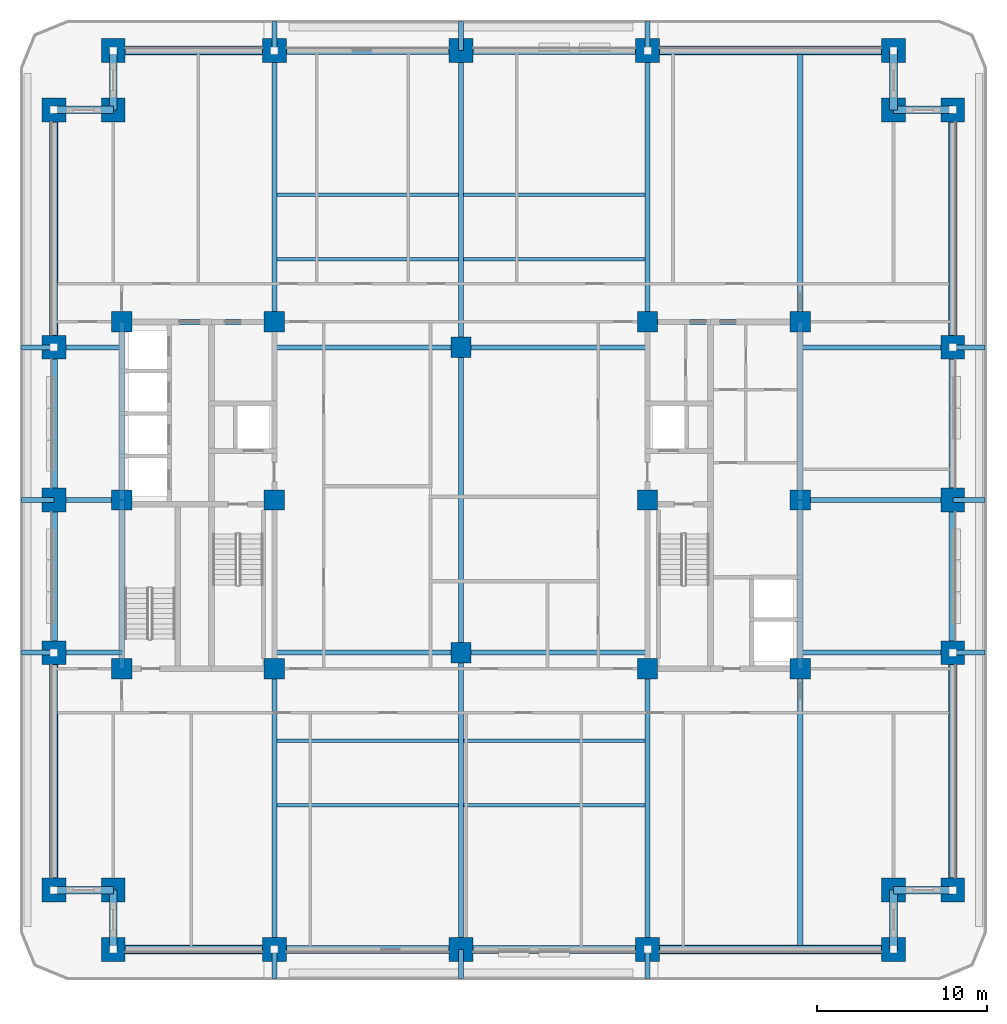
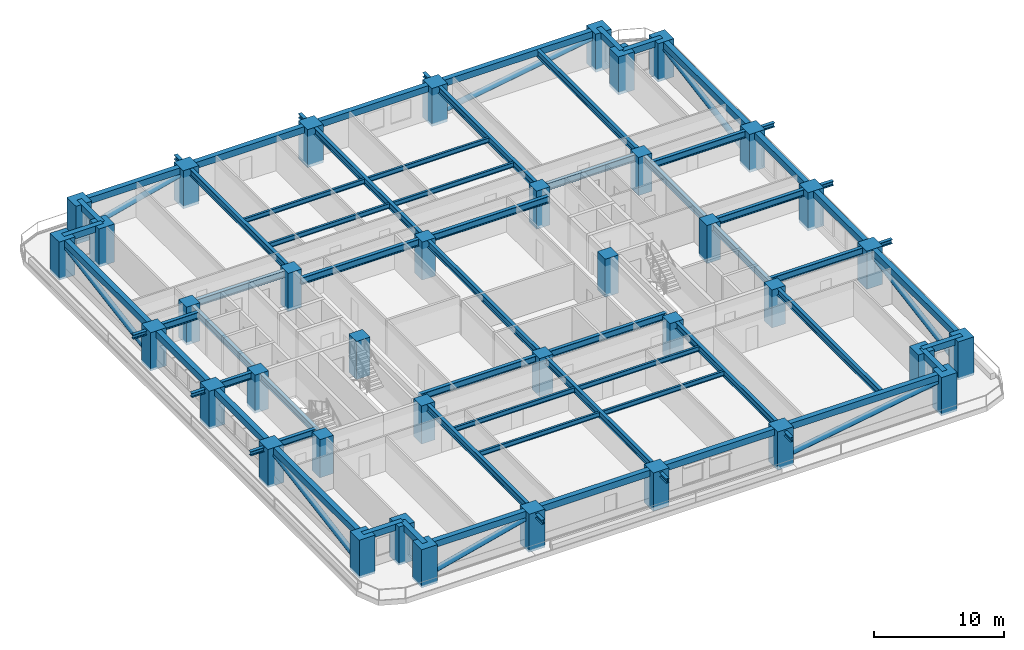
# One storey, part 1 of 15: 69 beams, 38 columns, 8 members.
"""IFC4 building model written with IfcOpenShell, lengths in metres."""

from ifc_helpers import new_model, si_unit, direction, frame, origin, origin_2d, place, context, subcontext, project, spatial, rectangle, hollow_circle, i_section, extrude, material, material_profile, profile_set, type_object, element, save


model = new_model("IFC4")

# Units and contexts
model_context = context("Model", 3, precision=1e-05, world=origin(), true_north=direction((0.0, 1.0)))
body_context = subcontext(model_context, "Body", "Model", "MODEL_VIEW")
ifc_project = project(units=[si_unit("LENGTHUNIT", "METRE"), si_unit("AREAUNIT", "SQUARE_METRE"), si_unit("VOLUMEUNIT", "CUBIC_METRE"), si_unit("PLANEANGLEUNIT", "RADIAN"), si_unit("MASSUNIT", "GRAM", prefix="KILO")], contexts=[model_context])

# Site, building, storey
site_placement = place(None, origin())
site = spatial("IfcSite", under=ifc_project, at=site_placement, CompositionType="ELEMENT")
building_placement = place(site_placement, origin())
building = spatial("IfcBuilding", under=site, at=building_placement, Name="Zulmaris Gate Convention Tower", CompositionType="ELEMENT")
storey_placement = place(building_placement, frame((0.0, 0.0, 37.909912109375)))
storey = spatial("IfcBuildingStorey", under=building, at=storey_placement, Name="L08", CompositionType="ELEMENT", Elevation=37.909912109375)

# Columns
ifc_material_1 = material(Name="Concrete C70/85", Category="concrete")
ifc_material_profile_1 = material_profile(ifc_material_1, rectangle(XDim=1.199951171875, YDim=1.199951171875, at=origin_2d()), Name="RC COL 1200x1200")
ifc_profile_set_1 = profile_set([ifc_material_profile_1], Name="Concrete C70/85")
column_type_1 = type_object("IfcColumnType", Name="COL-RC1200", PredefinedType="COLUMN", material=ifc_profile_set_1)
for number, where, z_axis, x_axis, name in (
    (1, (-20.0, -9.949951171875, -0.25), (0.0, 0.0, 1.0), (1.0, 0.0, 0.0), "L08 Column IN--20.00_-9.95"),
    (2, (-20.0, 10.5, -0.25), (0.0, 0.0, 1.0), (1.0, 0.0, 0.0), "L08 Column IN--20.00_+10.50"),
    (3, (-11.0, -9.949951171875, -0.25), (0.0, 0.0, 1.0), (1.0, 0.0, 0.0), "L08 Column IN--11.00_-9.95"),
    (4, (-11.0, 0.0, -0.25), (0.0, 0.0, 1.0), (1.0, 0.0, 0.0), "L08 Column IN--11.00_+0.00"),
    (5, (-11.0, 10.5, -0.25), (0.0, 0.0, 1.0), (1.0, 0.0, 0.0), "L08 Column IN--11.00_+10.50"),
    (6, (11.0, -9.949951171875, -0.25), (0.0, 0.0, 1.0), (1.0, 0.0, 0.0), "L08 Column IN-+11.00_-9.95"),
    (7, (11.0, 0.0, -0.25), (0.0, 0.0, 1.0), (1.0, 0.0, 0.0), "L08 Column IN-+11.00_+0.00"),
    (8, (11.0, 10.5, -0.25), (0.0, 0.0, 1.0), (1.0, 0.0, 0.0), "L08 Column IN-+11.00_+10.50"),
    (9, (20.0, -9.949951171875, -0.25), (0.0, 0.0, 1.0), (1.0, 0.0, 0.0), "L08 Column IN-+20.00_-9.95"),
    (10, (20.0, 10.5, -0.25), (0.0, 0.0, 1.0), (1.0, 0.0, 0.0), "L08 Column IN-+20.00_+10.50"),
    (11, (0.0, -9.0, -0.25), (0.0, 0.0, 1.0), (1.0, 0.0, 0.0), "L08 Column IN-+0.00_-9.00"),
    (12, (0.0, 9.0, -0.25), (0.0, 0.0, 1.0), (1.0, 0.0, 0.0), "L08 Column IN-+0.00_+9.00"),
    (13, (-20.0, 0.0, -0.25), (0.0, 0.0, 1.0), (1.0, 0.0, 0.0), "L08 Column IN--20.00_+0.00"),
    (14, (20.0, 0.0, -0.25), (0.0, 0.0, 1.0), (1.0, 0.0, 0.0), "L08 Column IN-+20.00_+0.00"),
):
    element("IfcColumn", number, at=place(storey_placement, frame(where, z_axis=z_axis, x_axis=x_axis)), inside=storey, type_object=column_type_1, Name=name, PredefinedType="COLUMN", context=body_context, shape_type="SweptSolid", body=[
        extrude(rectangle(XDim=1.199951171875, YDim=1.199951171875, at=origin_2d()), origin(), (0.0, 0.0, 1.0), 3.570068359375),
    ])
ifc_material_2 = material(Name="Concrete C80/95", Category="concrete")
ifc_material_profile_2 = material_profile(ifc_material_2, rectangle(XDim=1.39990234375, YDim=1.39990234375, at=origin_2d()), Name="RC COL 1400x1400")
ifc_profile_set_2 = profile_set([ifc_material_profile_2], Name="Concrete C80/95")
column_type_2 = type_object("IfcColumnType", Name="COL-RC1400", PredefinedType="COLUMN", material=ifc_profile_set_2)
for number, where, z_axis, x_axis, name in (
    (15, (-20.5, -26.5, -0.25), (0.0, 0.0, 1.0), (1.0, 0.0, 0.0), "L08 Column PT--20.50_-26.50"),
    (16, (-11.0, -26.5, -0.25), (0.0, 0.0, 1.0), (1.0, 0.0, 0.0), "L08 Column PT--11.00_-26.50"),
    (17, (0.0, -26.5, -0.25), (0.0, 0.0, 1.0), (1.0, 0.0, 0.0), "L08 Column PT-+0.00_-26.50"),
    (18, (11.0, -26.5, -0.25), (0.0, 0.0, 1.0), (1.0, 0.0, 0.0), "L08 Column PT-+11.00_-26.50"),
    (19, (25.5, -26.5, -0.25), (0.0, 0.0, 1.0), (1.0, 0.0, 0.0), "L08 Column PT-+25.50_-26.50"),
    (20, (-20.5, 26.5, -0.25), (0.0, 0.0, 1.0), (1.0, 0.0, 0.0), "L08 Column PT--20.50_+26.50"),
    (21, (-11.0, 26.5, -0.25), (0.0, 0.0, 1.0), (1.0, 0.0, 0.0), "L08 Column PT--11.00_+26.50"),
    (22, (0.0, 26.5, -0.25), (0.0, 0.0, 1.0), (1.0, 0.0, 0.0), "L08 Column PT-+0.00_+26.50"),
    (23, (11.0, 26.5, -0.25), (0.0, 0.0, 1.0), (1.0, 0.0, 0.0), "L08 Column PT-+11.00_+26.50"),
    (24, (25.5, 26.5, -0.25), (0.0, 0.0, 1.0), (1.0, 0.0, 0.0), "L08 Column PT-+25.50_+26.50"),
    (25, (-24.0, -23.0, -0.25), (0.0, 0.0, 1.0), (1.0, 0.0, 0.0), "L08 Column PT--24.00_-23.00"),
    (26, (-24.0, -9.0, -0.25), (0.0, 0.0, 1.0), (1.0, 0.0, 0.0), "L08 Column PT--24.00_-9.00"),
    (27, (-24.0, 0.0, -0.25), (0.0, 0.0, 1.0), (1.0, 0.0, 0.0), "L08 Column PT--24.00_+0.00"),
    (28, (-24.0, 9.0, -0.25), (0.0, 0.0, 1.0), (1.0, 0.0, 0.0), "L08 Column PT--24.00_+9.00"),
    (29, (-24.0, 23.0, -0.25), (0.0, 0.0, 1.0), (1.0, 0.0, 0.0), "L08 Column PT--24.00_+23.00"),
    (30, (29.0, -23.0, -0.25), (0.0, 0.0, 1.0), (1.0, 0.0, 0.0), "L08 Column PT-+29.00_-23.00"),
    (31, (29.0, -9.0, -0.25), (0.0, 0.0, 1.0), (1.0, 0.0, 0.0), "L08 Column PT-+29.00_-9.00"),
    (32, (29.0, 0.0, -0.25), (0.0, 0.0, 1.0), (1.0, 0.0, 0.0), "L08 Column PT-+29.00_+0.00"),
    (33, (29.0, 9.0, -0.25), (0.0, 0.0, 1.0), (1.0, 0.0, 0.0), "L08 Column PT-+29.00_+9.00"),
    (34, (29.0, 23.0, -0.25), (0.0, 0.0, 1.0), (1.0, 0.0, 0.0), "L08 Column PT-+29.00_+23.00"),
    (35, (-20.5, -23.0, -0.25), (0.0, 0.0, 1.0), (1.0, 0.0, 0.0), "L08 Column PT--20.50_-23.00"),
    (36, (25.5, -23.0, -0.25), (0.0, 0.0, 1.0), (1.0, 0.0, 0.0), "L08 Column PT-+25.50_-23.00"),
    (37, (25.5, 23.0, -0.25), (0.0, 0.0, 1.0), (1.0, 0.0, 0.0), "L08 Column PT-+25.50_+23.00"),
    (38, (-20.5, 23.0, -0.25), (0.0, 0.0, 1.0), (1.0, 0.0, 0.0), "L08 Column PT--20.50_+23.00"),
):
    element("IfcColumn", number, at=place(storey_placement, frame(where, z_axis=z_axis, x_axis=x_axis)), inside=storey, type_object=column_type_2, Name=name, PredefinedType="COLUMN", context=body_context, shape_type="SweptSolid", body=[
        extrude(rectangle(XDim=1.39990234375, YDim=1.39990234375, at=origin_2d()), origin(), (0.0, 0.0, 1.0), 3.570068359375),
    ])

# Beams
ifc_material_3 = material(Name="Steel S355", Category="steel")
ifc_material_profile_3 = material_profile(ifc_material_3, i_section(OverallWidth=0.300048828125, OverallDepth=0.39990234375, WebThickness=0.013427734375, FlangeThickness=0.02392578125, FilletRadius=0.027099609375, at=origin_2d()), Name="HEB 400")
ifc_profile_set_3 = profile_set([ifc_material_profile_3], Name="Steel S355")
beam_type_1 = type_object("IfcBeamType", Name="BM-HEB400", PredefinedType="BEAM", material=ifc_profile_set_3)
for number, where, z_axis, x_axis, name in (
    (39, (-11.0, -28.199951171875, 2.97998046875), (0.0, 1.0, 0.0), (-1.0, 0.0, 0.0), "L08 Beam TBRK-L08-S--11"),
    (40, (-11.0, 26.5, 2.97998046875), (0.0, 1.0, 0.0), (-1.0, 0.0, 0.0), "L08 Beam TBRK-L08-N--11"),
    (41, (0.0, -28.199951171875, 2.97998046875), (0.0, 1.0, 0.0), (-1.0, 0.0, 0.0), "L08 Beam TBRK-L08-S-+0"),
    (42, (0.0, 26.5, 2.97998046875), (0.0, 1.0, 0.0), (-1.0, 0.0, 0.0), "L08 Beam TBRK-L08-N-+0"),
    (43, (11.0, -28.199951171875, 2.97998046875), (0.0, 1.0, 0.0), (-1.0, 0.0, 0.0), "L08 Beam TBRK-L08-S-+11"),
    (44, (11.0, 26.5, 2.97998046875), (0.0, 1.0, 0.0), (-1.0, 0.0, 0.0), "L08 Beam TBRK-L08-N-+11"),
):
    element("IfcBeam", number, at=place(storey_placement, frame(where, z_axis=z_axis, x_axis=x_axis)), inside=storey, type_object=beam_type_1, Name=name, PredefinedType="BEAM", context=body_context, shape_type="SweptSolid", body=[
        extrude(i_section(OverallWidth=0.300048828125, OverallDepth=0.39990234375, WebThickness=0.013427734375, FlangeThickness=0.02392578125, FilletRadius=0.027099609375, at=origin_2d()), origin(), (0.0, 0.0, 1.0), 1.699951171875),
    ])
for number, where, z_axis, x_axis, name in (
    (45, (-25.89990234375, -9.0, 2.97998046875), (1.0, 0.0, 0.0), (0.0, 1.0, 0.0), "L08 Beam TBRK-L08-W--9"),
    (46, (29.0, -9.0, 2.97998046875), (1.0, 0.0, 0.0), (0.0, 1.0, 0.0), "L08 Beam TBRK-L08-E--9"),
    (47, (-25.89990234375, 0.0, 2.97998046875), (1.0, 0.0, 0.0), (0.0, 1.0, 0.0), "L08 Beam TBRK-L08-W-+0"),
    (48, (29.0, 0.0, 2.97998046875), (1.0, 0.0, 0.0), (0.0, 1.0, 0.0), "L08 Beam TBRK-L08-E-+0"),
    (49, (-25.89990234375, 9.0, 2.97998046875), (1.0, 0.0, 0.0), (0.0, 1.0, 0.0), "L08 Beam TBRK-L08-W-+9"),
    (50, (29.0, 9.0, 2.97998046875), (1.0, 0.0, 0.0), (0.0, 1.0, 0.0), "L08 Beam TBRK-L08-E-+9"),
):
    element("IfcBeam", number, at=place(storey_placement, frame(where, z_axis=z_axis, x_axis=x_axis)), inside=storey, type_object=beam_type_1, Name=name, PredefinedType="BEAM", context=body_context, shape_type="SweptSolid", body=[
        extrude(i_section(OverallWidth=0.300048828125, OverallDepth=0.39990234375, WebThickness=0.013427734375, FlangeThickness=0.02392578125, FilletRadius=0.027099609375, at=origin_2d()), origin(), (0.0, 0.0, 1.0), 1.89990234375),
    ])
ifc_material_profile_4 = material_profile(ifc_material_3, i_section(OverallWidth=0.300048828125, OverallDepth=0.64990234375, WebThickness=0.01611328125, FlangeThickness=0.031005859375, FilletRadius=0.027099609375, at=origin_2d()), Name="HEB 650")
ifc_profile_set_4 = profile_set([ifc_material_profile_4], Name="Steel S355")
beam_type_2 = type_object("IfcBeamType", Name="BM-HEB650", PredefinedType="BEAM", material=ifc_profile_set_4)
for number, where, z_axis, x_axis, name in (
    (51, (-11.0, -9.0, 2.9931640625), (1.0, 0.0, 0.0), (0.0, 1.0, 0.0), "L08 Beam BM-L08-G01"),
    (52, (0.0, -9.0, 2.9931640625), (1.0, 0.0, 0.0), (0.0, 1.0, 0.0), "L08 Beam BM-L08-G02"),
    (53, (-11.0, 9.0, 2.9931640625), (1.0, 0.0, 0.0), (0.0, 1.0, 0.0), "L08 Beam BM-L08-G03"),
    (54, (0.0, 9.0, 2.9931640625), (1.0, 0.0, 0.0), (0.0, 1.0, 0.0), "L08 Beam BM-L08-G04"),
):
    element("IfcBeam", number, at=place(storey_placement, frame(where, z_axis=z_axis, x_axis=x_axis)), inside=storey, type_object=beam_type_2, Name=name, PredefinedType="BEAM", context=body_context, shape_type="SweptSolid", body=[
        extrude(i_section(OverallWidth=0.300048828125, OverallDepth=0.64990234375, WebThickness=0.01611328125, FlangeThickness=0.031005859375, FilletRadius=0.027099609375, at=origin_2d()), origin(), (0.0, 0.0, 1.0), 11.0),
    ])
beam_1_placement = place(storey_placement, frame((0.0, -26.5, 2.9931640625), z_axis=(0.0, 1.0, 0.0), x_axis=(-1.0, 0.0, 0.0)))
element("IfcBeam", 55, at=beam_1_placement, inside=storey, type_object=beam_type_2, Name="L08 Beam BM-L08-G05", PredefinedType="BEAM", context=body_context, shape_type="SweptSolid", body=[
    extrude(i_section(OverallWidth=0.300048828125, OverallDepth=0.64990234375, WebThickness=0.01611328125, FlangeThickness=0.031005859375, FilletRadius=0.027099609375, at=origin_2d()), origin(), (0.0, 0.0, 1.0), 17.5),
])
beam_2_placement = place(storey_placement, frame((0.0, -9.0, 2.9931640625), z_axis=(0.0, 1.0, 0.0), x_axis=(-1.0, 0.0, 0.0)))
element("IfcBeam", 56, at=beam_2_placement, inside=storey, type_object=beam_type_2, Name="L08 Beam BM-L08-G06", PredefinedType="BEAM", context=body_context, shape_type="SweptSolid", body=[
    extrude(i_section(OverallWidth=0.300048828125, OverallDepth=0.64990234375, WebThickness=0.01611328125, FlangeThickness=0.031005859375, FilletRadius=0.027099609375, at=origin_2d()), origin(), (0.0, 0.0, 1.0), 18.0),
])
beam_3_placement = place(storey_placement, frame((0.0, 9.0, 2.9931640625), z_axis=(0.0, 1.0, 0.0), x_axis=(-1.0, 0.0, 0.0)))
element("IfcBeam", 57, at=beam_3_placement, inside=storey, type_object=beam_type_2, Name="L08 Beam BM-L08-G07", PredefinedType="BEAM", context=body_context, shape_type="SweptSolid", body=[
    extrude(i_section(OverallWidth=0.300048828125, OverallDepth=0.64990234375, WebThickness=0.01611328125, FlangeThickness=0.031005859375, FilletRadius=0.027099609375, at=origin_2d()), origin(), (0.0, 0.0, 1.0), 17.5),
])
beam_4_placement = place(storey_placement, frame((-11.0, -26.5, 2.9931640625), z_axis=(0.0, 1.0, 0.0), x_axis=(-1.0, 0.0, 0.0)))
element("IfcBeam", 58, at=beam_4_placement, inside=storey, type_object=beam_type_2, Name="L08 Beam BM-L08-G08", PredefinedType="BEAM", context=body_context, shape_type="SweptSolid", body=[
    extrude(i_section(OverallWidth=0.300048828125, OverallDepth=0.64990234375, WebThickness=0.01611328125, FlangeThickness=0.031005859375, FilletRadius=0.027099609375, at=origin_2d()), origin(), (0.0, 0.0, 1.0), 16.550048828125),
])
beam_5_placement = place(storey_placement, frame((-11.0, 10.5, 2.9931640625), z_axis=(0.0, 1.0, 0.0), x_axis=(-1.0, 0.0, 0.0)))
element("IfcBeam", 59, at=beam_5_placement, inside=storey, type_object=beam_type_2, Name="L08 Beam BM-L08-G09", PredefinedType="BEAM", context=body_context, shape_type="SweptSolid", body=[
    extrude(i_section(OverallWidth=0.300048828125, OverallDepth=0.64990234375, WebThickness=0.01611328125, FlangeThickness=0.031005859375, FilletRadius=0.027099609375, at=origin_2d()), origin(), (0.0, 0.0, 1.0), 16.0),
])
beam_6_placement = place(storey_placement, frame((11.0, -26.5, 2.9931640625), z_axis=(0.0, 1.0, 0.0), x_axis=(-1.0, 0.0, 0.0)))
element("IfcBeam", 60, at=beam_6_placement, inside=storey, type_object=beam_type_2, Name="L08 Beam BM-L08-G10", PredefinedType="BEAM", context=body_context, shape_type="SweptSolid", body=[
    extrude(i_section(OverallWidth=0.300048828125, OverallDepth=0.64990234375, WebThickness=0.01611328125, FlangeThickness=0.031005859375, FilletRadius=0.027099609375, at=origin_2d()), origin(), (0.0, 0.0, 1.0), 16.550048828125),
])
beam_7_placement = place(storey_placement, frame((11.0, 10.5, 2.9931640625), z_axis=(0.0, 1.0, 0.0), x_axis=(-1.0, 0.0, 0.0)))
element("IfcBeam", 61, at=beam_7_placement, inside=storey, type_object=beam_type_2, Name="L08 Beam BM-L08-G11", PredefinedType="BEAM", context=body_context, shape_type="SweptSolid", body=[
    extrude(i_section(OverallWidth=0.300048828125, OverallDepth=0.64990234375, WebThickness=0.01611328125, FlangeThickness=0.031005859375, FilletRadius=0.027099609375, at=origin_2d()), origin(), (0.0, 0.0, 1.0), 16.0),
])
beam_8_placement = place(storey_placement, frame((20.0, -26.5, 2.9931640625), z_axis=(0.0, 1.0, 0.0), x_axis=(-1.0, 0.0, 0.0)))
element("IfcBeam", 62, at=beam_8_placement, inside=storey, type_object=beam_type_2, Name="L08 Beam BM-L08-G14", PredefinedType="BEAM", context=body_context, shape_type="SweptSolid", body=[
    extrude(i_section(OverallWidth=0.300048828125, OverallDepth=0.64990234375, WebThickness=0.01611328125, FlangeThickness=0.031005859375, FilletRadius=0.027099609375, at=origin_2d()), origin(), (0.0, 0.0, 1.0), 16.550048828125),
])
beam_9_placement = place(storey_placement, frame((20.0, 10.5, 2.9931640625), z_axis=(0.0, 1.0, 0.0), x_axis=(-1.0, 0.0, 0.0)))
element("IfcBeam", 63, at=beam_9_placement, inside=storey, type_object=beam_type_2, Name="L08 Beam BM-L08-G15", PredefinedType="BEAM", context=body_context, shape_type="SweptSolid", body=[
    extrude(i_section(OverallWidth=0.300048828125, OverallDepth=0.64990234375, WebThickness=0.01611328125, FlangeThickness=0.031005859375, FilletRadius=0.027099609375, at=origin_2d()), origin(), (0.0, 0.0, 1.0), 16.0),
])
for number, where, z_axis, x_axis, name in (
    (64, (-24.0, -9.0, 2.9931640625), (1.0, 0.0, 0.0), (0.0, 1.0, 0.0), "L08 Beam BM-L08-G16"),
    (65, (-24.0, 0.0, 2.9931640625), (1.0, 0.0, 0.0), (0.0, 1.0, 0.0), "L08 Beam BM-L08-G17"),
    (66, (-24.0, 9.0, 2.9931640625), (1.0, 0.0, 0.0), (0.0, 1.0, 0.0), "L08 Beam BM-L08-G18"),
):
    element("IfcBeam", number, at=place(storey_placement, frame(where, z_axis=z_axis, x_axis=x_axis)), inside=storey, type_object=beam_type_2, Name=name, PredefinedType="BEAM", context=body_context, shape_type="SweptSolid", body=[
        extrude(i_section(OverallWidth=0.300048828125, OverallDepth=0.64990234375, WebThickness=0.01611328125, FlangeThickness=0.031005859375, FilletRadius=0.027099609375, at=origin_2d()), origin(), (0.0, 0.0, 1.0), 4.0),
    ])
for number, where, z_axis, x_axis, name in (
    (67, (20.0, -9.0, 2.9931640625), (1.0, 0.0, 0.0), (0.0, 1.0, 0.0), "L08 Beam BM-L08-G19"),
    (68, (20.0, 0.0, 2.9931640625), (1.0, 0.0, 0.0), (0.0, 1.0, 0.0), "L08 Beam BM-L08-G20"),
    (69, (20.0, 9.0, 2.9931640625), (1.0, 0.0, 0.0), (0.0, 1.0, 0.0), "L08 Beam BM-L08-G21"),
    (70, (-20.0, 10.5, 2.9931640625), (1.0, 0.0, 0.0), (0.0, 1.0, 0.0), "L08 Beam BM-L08-G23"),
    (71, (11.0, 10.5, 2.9931640625), (1.0, 0.0, 0.0), (0.0, 1.0, 0.0), "L08 Beam BM-L08-G25"),
):
    element("IfcBeam", number, at=place(storey_placement, frame(where, z_axis=z_axis, x_axis=x_axis)), inside=storey, type_object=beam_type_2, Name=name, PredefinedType="BEAM", context=body_context, shape_type="SweptSolid", body=[
        extrude(i_section(OverallWidth=0.300048828125, OverallDepth=0.64990234375, WebThickness=0.01611328125, FlangeThickness=0.031005859375, FilletRadius=0.027099609375, at=origin_2d()), origin(), (0.0, 0.0, 1.0), 9.0),
    ])
beam_10_placement = place(storey_placement, frame((-20.0, -9.949951171875, 2.9931640625), z_axis=(0.0, 1.0, 0.0), x_axis=(-1.0, 0.0, 0.0)))
element("IfcBeam", 72, at=beam_10_placement, inside=storey, type_object=beam_type_2, Name="L08 Beam BM-L08-G26", PredefinedType="BEAM", context=body_context, shape_type="SweptSolid", body=[
    extrude(i_section(OverallWidth=0.300048828125, OverallDepth=0.64990234375, WebThickness=0.01611328125, FlangeThickness=0.031005859375, FilletRadius=0.027099609375, at=origin_2d()), origin(), (0.0, 0.0, 1.0), 9.949951171875),
])
beam_11_placement = place(storey_placement, frame((-20.0, 0.0, 2.9931640625), z_axis=(0.0, 1.0, 0.0), x_axis=(-1.0, 0.0, 0.0)))
element("IfcBeam", 73, at=beam_11_placement, inside=storey, type_object=beam_type_2, Name="L08 Beam BM-L08-G27", PredefinedType="BEAM", context=body_context, shape_type="SweptSolid", body=[
    extrude(i_section(OverallWidth=0.300048828125, OverallDepth=0.64990234375, WebThickness=0.01611328125, FlangeThickness=0.031005859375, FilletRadius=0.027099609375, at=origin_2d()), origin(), (0.0, 0.0, 1.0), 10.5),
])
beam_12_placement = place(storey_placement, frame((20.0, -9.949951171875, 2.9931640625), z_axis=(0.0, 1.0, 0.0), x_axis=(-1.0, 0.0, 0.0)))
element("IfcBeam", 74, at=beam_12_placement, inside=storey, type_object=beam_type_2, Name="L08 Beam BM-L08-G28", PredefinedType="BEAM", context=body_context, shape_type="SweptSolid", body=[
    extrude(i_section(OverallWidth=0.300048828125, OverallDepth=0.64990234375, WebThickness=0.01611328125, FlangeThickness=0.031005859375, FilletRadius=0.027099609375, at=origin_2d()), origin(), (0.0, 0.0, 1.0), 9.949951171875),
])
beam_13_placement = place(storey_placement, frame((20.0, 0.0, 2.9931640625), z_axis=(0.0, 1.0, 0.0), x_axis=(-1.0, 0.0, 0.0)))
element("IfcBeam", 75, at=beam_13_placement, inside=storey, type_object=beam_type_2, Name="L08 Beam BM-L08-G29", PredefinedType="BEAM", context=body_context, shape_type="SweptSolid", body=[
    extrude(i_section(OverallWidth=0.300048828125, OverallDepth=0.64990234375, WebThickness=0.01611328125, FlangeThickness=0.031005859375, FilletRadius=0.027099609375, at=origin_2d()), origin(), (0.0, 0.0, 1.0), 10.5),
])
ifc_material_4 = material(Name="Precast concrete C50/60", Category="concrete")
ifc_material_profile_5 = material_profile(ifc_material_4, rectangle(XDim=0.449951171875, YDim=0.60009765625, at=origin_2d()), Name="RC SPANDREL 450x600")
ifc_profile_set_5 = profile_set([ifc_material_profile_5], Name="Precast concrete C50/60")
beam_type_3 = type_object("IfcBeamType", Name="BM-SP450x600", PredefinedType="SPANDREL", material=ifc_profile_set_5)
beam_14_placement = place(storey_placement, frame((-20.5, -26.5, 3.02001953125), z_axis=(1.0, 0.0, 0.0), x_axis=(0.0, 1.0, 0.0)))
element("IfcBeam", 76, at=beam_14_placement, inside=storey, type_object=beam_type_3, Name="L08 Spandrel SP-L08-01", PredefinedType="SPANDREL", context=body_context, shape_type="SweptSolid", body=[
    extrude(rectangle(XDim=0.449951171875, YDim=0.60009765625, at=origin_2d()), origin(), (0.0, 0.0, 1.0), 9.5),
])
for number, where, z_axis, x_axis, name in (
    (77, (-11.0, -26.5, 3.02001953125), (1.0, 0.0, 0.0), (0.0, 1.0, 0.0), "L08 Spandrel SP-L08-02"),
    (78, (0.0, -26.5, 3.02001953125), (1.0, 0.0, 0.0), (0.0, 1.0, 0.0), "L08 Spandrel SP-L08-03"),
):
    element("IfcBeam", number, at=place(storey_placement, frame(where, z_axis=z_axis, x_axis=x_axis)), inside=storey, type_object=beam_type_3, Name=name, PredefinedType="SPANDREL", context=body_context, shape_type="SweptSolid", body=[
        extrude(rectangle(XDim=0.449951171875, YDim=0.60009765625, at=origin_2d()), origin(), (0.0, 0.0, 1.0), 11.0),
    ])
beam_15_placement = place(storey_placement, frame((11.0, -26.5, 3.02001953125), z_axis=(1.0, 0.0, 0.0), x_axis=(0.0, 1.0, 0.0)))
element("IfcBeam", 79, at=beam_15_placement, inside=storey, type_object=beam_type_3, Name="L08 Spandrel SP-L08-04", PredefinedType="SPANDREL", context=body_context, shape_type="SweptSolid", body=[
    extrude(rectangle(XDim=0.449951171875, YDim=0.60009765625, at=origin_2d()), origin(), (0.0, 0.0, 1.0), 14.5),
])
for number, where, z_axis, x_axis, name in (
    (80, (25.5, -26.5, 3.02001953125), (0.0, 1.0, 0.0), (-1.0, 0.0, 0.0), "L08 Spandrel SP-L08-05"),
    (81, (25.5, -23.0, 3.02001953125), (1.0, 0.0, 0.0), (0.0, 1.0, 0.0), "L08 Spandrel SP-L08-06"),
):
    element("IfcBeam", number, at=place(storey_placement, frame(where, z_axis=z_axis, x_axis=x_axis)), inside=storey, type_object=beam_type_3, Name=name, PredefinedType="SPANDREL", context=body_context, shape_type="SweptSolid", body=[
        extrude(rectangle(XDim=0.449951171875, YDim=0.60009765625, at=origin_2d()), origin(), (0.0, 0.0, 1.0), 3.5),
    ])
beam_16_placement = place(storey_placement, frame((29.0, -23.0, 3.02001953125), z_axis=(0.0, 1.0, 0.0), x_axis=(-1.0, 0.0, 0.0)))
element("IfcBeam", 82, at=beam_16_placement, inside=storey, type_object=beam_type_3, Name="L08 Spandrel SP-L08-07", PredefinedType="SPANDREL", context=body_context, shape_type="SweptSolid", body=[
    extrude(rectangle(XDim=0.449951171875, YDim=0.60009765625, at=origin_2d()), origin(), (0.0, 0.0, 1.0), 14.0),
])
for number, where, z_axis, x_axis, name in (
    (83, (29.0, -9.0, 3.02001953125), (0.0, 1.0, 0.0), (-1.0, 0.0, 0.0), "L08 Spandrel SP-L08-08"),
    (84, (29.0, 0.0, 3.02001953125), (0.0, 1.0, 0.0), (-1.0, 0.0, 0.0), "L08 Spandrel SP-L08-09"),
):
    element("IfcBeam", number, at=place(storey_placement, frame(where, z_axis=z_axis, x_axis=x_axis)), inside=storey, type_object=beam_type_3, Name=name, PredefinedType="SPANDREL", context=body_context, shape_type="SweptSolid", body=[
        extrude(rectangle(XDim=0.449951171875, YDim=0.60009765625, at=origin_2d()), origin(), (0.0, 0.0, 1.0), 9.0),
    ])
beam_17_placement = place(storey_placement, frame((29.0, 9.0, 3.02001953125), z_axis=(0.0, 1.0, 0.0), x_axis=(-1.0, 0.0, 0.0)))
element("IfcBeam", 85, at=beam_17_placement, inside=storey, type_object=beam_type_3, Name="L08 Spandrel SP-L08-10", PredefinedType="SPANDREL", context=body_context, shape_type="SweptSolid", body=[
    extrude(rectangle(XDim=0.449951171875, YDim=0.60009765625, at=origin_2d()), origin(), (0.0, 0.0, 1.0), 14.0),
])
for number, where, z_axis, x_axis, name in (
    (86, (29.0, 23.0, 3.02001953125), (-1.0, 0.0, 0.0), (0.0, -1.0, 0.0), "L08 Spandrel SP-L08-11"),
    (87, (25.5, 23.0, 3.02001953125), (0.0, 1.0, 0.0), (-1.0, 0.0, 0.0), "L08 Spandrel SP-L08-12"),
):
    element("IfcBeam", number, at=place(storey_placement, frame(where, z_axis=z_axis, x_axis=x_axis)), inside=storey, type_object=beam_type_3, Name=name, PredefinedType="SPANDREL", context=body_context, shape_type="SweptSolid", body=[
        extrude(rectangle(XDim=0.449951171875, YDim=0.60009765625, at=origin_2d()), origin(), (0.0, 0.0, 1.0), 3.5),
    ])
beam_18_placement = place(storey_placement, frame((25.5, 26.5, 3.02001953125), z_axis=(-1.0, 0.0, 0.0), x_axis=(0.0, -1.0, 0.0)))
element("IfcBeam", 88, at=beam_18_placement, inside=storey, type_object=beam_type_3, Name="L08 Spandrel SP-L08-13", PredefinedType="SPANDREL", context=body_context, shape_type="SweptSolid", body=[
    extrude(rectangle(XDim=0.449951171875, YDim=0.60009765625, at=origin_2d()), origin(), (0.0, 0.0, 1.0), 14.5),
])
for number, where, z_axis, x_axis, name in (
    (89, (11.0, 26.5, 3.02001953125), (-1.0, 0.0, 0.0), (0.0, -1.0, 0.0), "L08 Spandrel SP-L08-14"),
    (90, (0.0, 26.5, 3.02001953125), (-1.0, 0.0, 0.0), (0.0, -1.0, 0.0), "L08 Spandrel SP-L08-15"),
):
    element("IfcBeam", number, at=place(storey_placement, frame(where, z_axis=z_axis, x_axis=x_axis)), inside=storey, type_object=beam_type_3, Name=name, PredefinedType="SPANDREL", context=body_context, shape_type="SweptSolid", body=[
        extrude(rectangle(XDim=0.449951171875, YDim=0.60009765625, at=origin_2d()), origin(), (0.0, 0.0, 1.0), 11.0),
    ])
beam_19_placement = place(storey_placement, frame((-11.0, 26.5, 3.02001953125), z_axis=(-1.0, 0.0, 0.0), x_axis=(0.0, -1.0, 0.0)))
element("IfcBeam", 91, at=beam_19_placement, inside=storey, type_object=beam_type_3, Name="L08 Spandrel SP-L08-16", PredefinedType="SPANDREL", context=body_context, shape_type="SweptSolid", body=[
    extrude(rectangle(XDim=0.449951171875, YDim=0.60009765625, at=origin_2d()), origin(), (0.0, 0.0, 1.0), 9.5),
])
for number, where, z_axis, x_axis, name in (
    (92, (-20.5, 26.5, 3.02001953125), (0.0, -1.0, 0.0), (1.0, 0.0, 0.0), "L08 Spandrel SP-L08-17"),
    (93, (-20.5, 23.0, 3.02001953125), (-1.0, 0.0, 0.0), (0.0, -1.0, 0.0), "L08 Spandrel SP-L08-18"),
):
    element("IfcBeam", number, at=place(storey_placement, frame(where, z_axis=z_axis, x_axis=x_axis)), inside=storey, type_object=beam_type_3, Name=name, PredefinedType="SPANDREL", context=body_context, shape_type="SweptSolid", body=[
        extrude(rectangle(XDim=0.449951171875, YDim=0.60009765625, at=origin_2d()), origin(), (0.0, 0.0, 1.0), 3.5),
    ])
beam_20_placement = place(storey_placement, frame((-24.0, 23.0, 3.02001953125), z_axis=(0.0, -1.0, 0.0), x_axis=(1.0, 0.0, 0.0)))
element("IfcBeam", 94, at=beam_20_placement, inside=storey, type_object=beam_type_3, Name="L08 Spandrel SP-L08-19", PredefinedType="SPANDREL", context=body_context, shape_type="SweptSolid", body=[
    extrude(rectangle(XDim=0.449951171875, YDim=0.60009765625, at=origin_2d()), origin(), (0.0, 0.0, 1.0), 14.0),
])
for number, where, z_axis, x_axis, name in (
    (95, (-24.0, 9.0, 3.02001953125), (0.0, -1.0, 0.0), (1.0, 0.0, 0.0), "L08 Spandrel SP-L08-20"),
    (96, (-24.0, 0.0, 3.02001953125), (0.0, -1.0, 0.0), (1.0, 0.0, 0.0), "L08 Spandrel SP-L08-21"),
):
    element("IfcBeam", number, at=place(storey_placement, frame(where, z_axis=z_axis, x_axis=x_axis)), inside=storey, type_object=beam_type_3, Name=name, PredefinedType="SPANDREL", context=body_context, shape_type="SweptSolid", body=[
        extrude(rectangle(XDim=0.449951171875, YDim=0.60009765625, at=origin_2d()), origin(), (0.0, 0.0, 1.0), 9.0),
    ])
beam_21_placement = place(storey_placement, frame((-24.0, -9.0, 3.02001953125), z_axis=(0.0, -1.0, 0.0), x_axis=(1.0, 0.0, 0.0)))
element("IfcBeam", 97, at=beam_21_placement, inside=storey, type_object=beam_type_3, Name="L08 Spandrel SP-L08-22", PredefinedType="SPANDREL", context=body_context, shape_type="SweptSolid", body=[
    extrude(rectangle(XDim=0.449951171875, YDim=0.60009765625, at=origin_2d()), origin(), (0.0, 0.0, 1.0), 14.0),
])
for number, where, z_axis, x_axis, name in (
    (98, (-24.0, -23.0, 3.02001953125), (1.0, 0.0, 0.0), (0.0, 1.0, 0.0), "L08 Spandrel SP-L08-23"),
    (99, (-20.5, -23.0, 3.02001953125), (0.0, -1.0, 0.0), (1.0, 0.0, 0.0), "L08 Spandrel SP-L08-24"),
):
    element("IfcBeam", number, at=place(storey_placement, frame(where, z_axis=z_axis, x_axis=x_axis)), inside=storey, type_object=beam_type_3, Name=name, PredefinedType="SPANDREL", context=body_context, shape_type="SweptSolid", body=[
        extrude(rectangle(XDim=0.449951171875, YDim=0.60009765625, at=origin_2d()), origin(), (0.0, 0.0, 1.0), 3.5),
    ])

# Members
ifc_material_5 = material(Name="Steel S460", Category="steel")
ifc_material_profile_6 = material_profile(ifc_material_5, hollow_circle(Radius=0.25390625, WallThickness=0.02490234375, at=origin_2d()), Name="CHS 508x25")
ifc_profile_set_6 = profile_set([ifc_material_profile_6], Name="Steel S460")
member_type = type_object("IfcMemberType", Name="BR-CHS508", PredefinedType="BRACE", material=ifc_profile_set_6)
for number, where, z_axis, x_axis, name in (
    (100, (-24.0, -23.0, 0.300048828125), (0.0, 0.98562053734, 0.168973833402), (-1.0, 0.0, 0.0), "L08 Perimeter Tube Diagonal SW-W"),
    (101, (-24.0, 9.0, 0.300048828125), (0.0, 0.98562053734, 0.168973833402), (-1.0, 0.0, 0.0), "L08 Perimeter Tube Diagonal NW-W"),
    (102, (29.0, -23.0, 0.300048828125), (0.0, 0.98562053734, 0.168973833402), (-1.0, 0.0, 0.0), "L08 Perimeter Tube Diagonal SE-E"),
    (103, (29.0, 9.0, 0.300048828125), (0.0, 0.98562053734, 0.168973833402), (-1.0, 0.0, 0.0), "L08 Perimeter Tube Diagonal NE-E"),
):
    element("IfcMember", number, at=place(storey_placement, frame(where, z_axis=z_axis, x_axis=x_axis)), inside=storey, type_object=member_type, Name=name, PredefinedType="BRACE", context=body_context, shape_type="SweptSolid", body=[
        extrude(hollow_circle(Radius=0.25390625, WallThickness=0.02490234375, at=origin_2d()), origin(), (0.0, 0.0, 1.0), 14.204345703125),
    ])
member_1_placement = place(storey_placement, frame((-20.5, -26.5, 0.300048828125), z_axis=(0.969535644056, 0.0, 0.244950270269), x_axis=(0.0, 1.0, 0.0)))
element("IfcMember", 104, at=member_1_placement, inside=storey, type_object=member_type, Name="L08 Perimeter Tube Diagonal SW-S", PredefinedType="BRACE", context=body_context, shape_type="SweptSolid", body=[
    extrude(hollow_circle(Radius=0.25390625, WallThickness=0.02490234375, at=origin_2d()), origin(), (0.0, 0.0, 1.0), 9.798583984375),
])
member_2_placement = place(storey_placement, frame((11.0, -26.5, 0.300048828125), z_axis=(0.986575592389, 0.0, 0.163305237217), x_axis=(0.0, 1.0, 0.0)))
element("IfcMember", 105, at=member_2_placement, inside=storey, type_object=member_type, Name="L08 Perimeter Tube Diagonal SE-S", PredefinedType="BRACE", context=body_context, shape_type="SweptSolid", body=[
    extrude(hollow_circle(Radius=0.25390625, WallThickness=0.02490234375, at=origin_2d()), origin(), (0.0, 0.0, 1.0), 14.697265625),
])
member_3_placement = place(storey_placement, frame((-20.5, 26.5, 0.300048828125), z_axis=(0.969535644056, 0.0, 0.244950270269), x_axis=(0.0, 1.0, 0.0)))
element("IfcMember", 106, at=member_3_placement, inside=storey, type_object=member_type, Name="L08 Perimeter Tube Diagonal NW-N", PredefinedType="BRACE", context=body_context, shape_type="SweptSolid", body=[
    extrude(hollow_circle(Radius=0.25390625, WallThickness=0.02490234375, at=origin_2d()), origin(), (0.0, 0.0, 1.0), 9.798583984375),
])
member_4_placement = place(storey_placement, frame((11.0, 26.5, 0.300048828125), z_axis=(0.986575592389, 0.0, 0.163305237217), x_axis=(0.0, 1.0, 0.0)))
element("IfcMember", 107, at=member_4_placement, inside=storey, type_object=member_type, Name="L08 Perimeter Tube Diagonal NE-N", PredefinedType="BRACE", context=body_context, shape_type="SweptSolid", body=[
    extrude(hollow_circle(Radius=0.25390625, WallThickness=0.02490234375, at=origin_2d()), origin(), (0.0, 0.0, 1.0), 14.697265625),
])

# Beams
ifc_material_profile_7 = material_profile(ifc_material_3, i_section(OverallWidth=0.18994140625, OverallDepth=0.449951171875, WebThickness=0.009521484375, FlangeThickness=0.0146484375, FilletRadius=0.02099609375, at=origin_2d()), Name="IPE 450")
ifc_profile_set_7 = profile_set([ifc_material_profile_7], Name="Steel S355")
beam_type_4 = type_object("IfcBeamType", Name="JT-IPE450", PredefinedType="JOIST", material=ifc_profile_set_7)
for number, where, z_axis, x_axis, name in (
    (108, (-10.85009765625, -18.0, 3.093017578125), (1.0, 0.0, 0.0), (0.0, 1.0, 0.0), "L08 Joist JT-L08-CW--18.0"),
    (109, (0.14990234375, -18.0, 3.093017578125), (1.0, 0.0, 0.0), (0.0, 1.0, 0.0), "L08 Joist JT-L08-CE--18.0"),
    (110, (-10.85009765625, -14.199951171875, 3.093017578125), (1.0, 0.0, 0.0), (0.0, 1.0, 0.0), "L08 Joist JT-L08-CW--14.2"),
    (111, (0.14990234375, -14.199951171875, 3.093017578125), (1.0, 0.0, 0.0), (0.0, 1.0, 0.0), "L08 Joist JT-L08-CE--14.2"),
    (112, (-10.85009765625, 14.199951171875, 3.093017578125), (1.0, 0.0, 0.0), (0.0, 1.0, 0.0), "L08 Joist JT-L08-CW-+14.2"),
    (113, (0.14990234375, 14.199951171875, 3.093017578125), (1.0, 0.0, 0.0), (0.0, 1.0, 0.0), "L08 Joist JT-L08-CE-+14.2"),
    (114, (-10.85009765625, 18.0, 3.093017578125), (1.0, 0.0, 0.0), (0.0, 1.0, 0.0), "L08 Joist JT-L08-CW-+18.0"),
    (115, (0.14990234375, 18.0, 3.093017578125), (1.0, 0.0, 0.0), (0.0, 1.0, 0.0), "L08 Joist JT-L08-CE-+18.0"),
):
    element("IfcBeam", number, at=place(storey_placement, frame(where, z_axis=z_axis, x_axis=x_axis)), inside=storey, type_object=beam_type_4, Name=name, PredefinedType="JOIST", context=body_context, shape_type="SweptSolid", body=[
        extrude(i_section(OverallWidth=0.18994140625, OverallDepth=0.449951171875, WebThickness=0.009521484375, FlangeThickness=0.0146484375, FilletRadius=0.02099609375, at=origin_2d()), origin(), (0.0, 0.0, 1.0), 10.7001953125),
    ])

save(model, "model.ifc")
